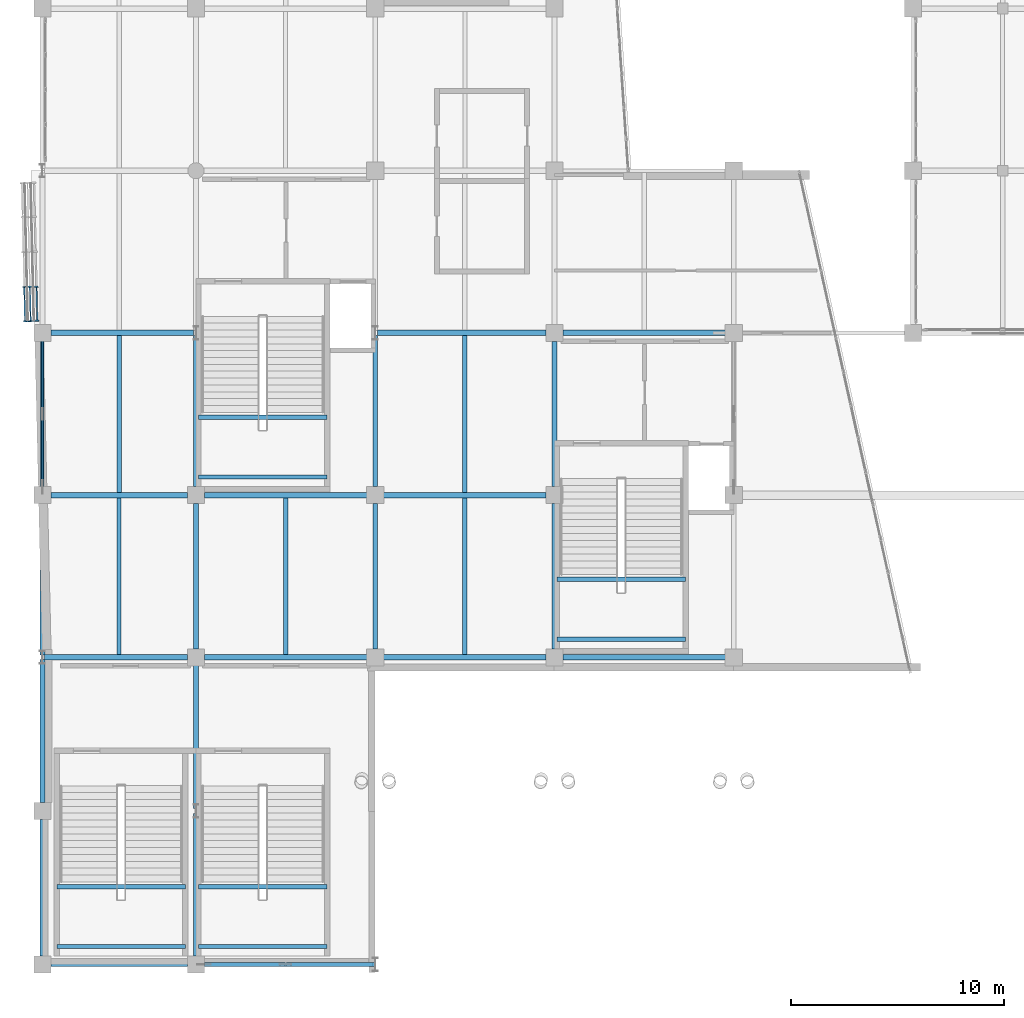
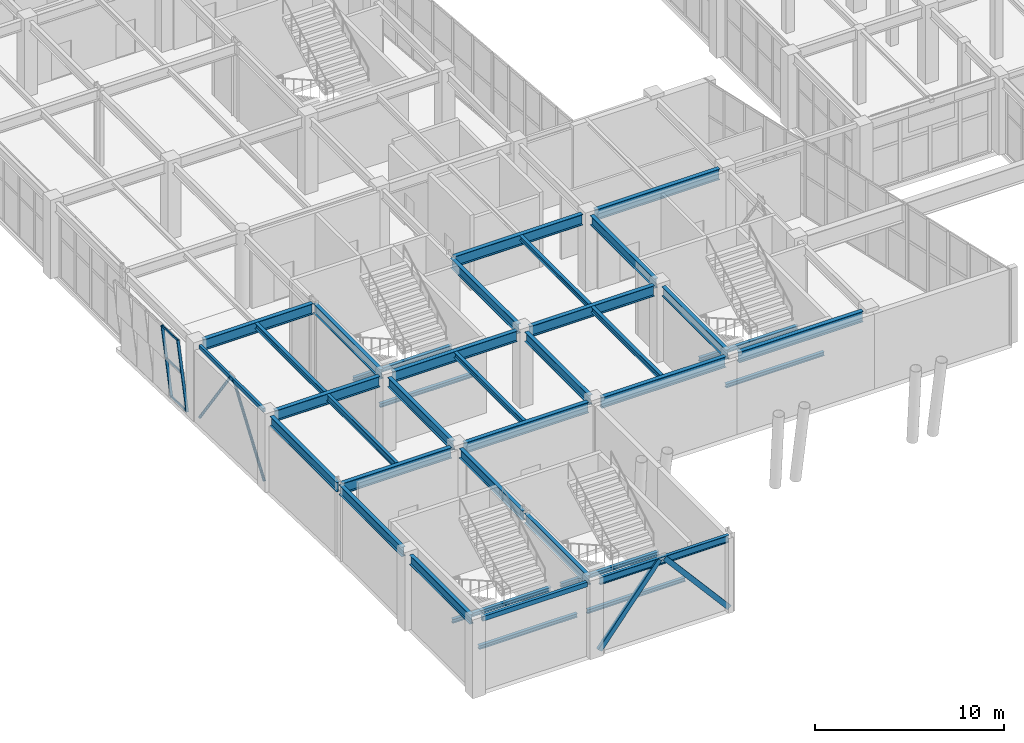
# One storey, part 9 of 128: 37 beams, 9 members, 1 element without a shape of its own.
"""IFC4 building model written with IfcOpenShell, lengths in metres."""

from ifc_helpers import new_model, si_unit, direction, frame, origin, origin_2d, place, context, subcontext, project, spatial, hollow_rectangle, hollow_circle, i_section, extrude, material, layer, layer_set, material_profile, profile_set, type_object, element, aggregate, save


model = new_model("IFC4")

# Units and contexts
model_context = context("Model", 3, precision=1e-05, world=origin(), true_north=direction((0.0, 1.0)))
body_context = subcontext(model_context, "Body", "Model", "MODEL_VIEW")
ifc_project = project(units=[si_unit("LENGTHUNIT", "METRE"), si_unit("AREAUNIT", "SQUARE_METRE"), si_unit("VOLUMEUNIT", "CUBIC_METRE"), si_unit("PLANEANGLEUNIT", "RADIAN"), si_unit("MASSUNIT", "GRAM", prefix="KILO")], contexts=[model_context])

# Site, building, storey
site_placement = place(None, origin())
site = spatial("IfcSite", under=ifc_project, at=site_placement, CompositionType="ELEMENT")
building_placement = place(site_placement, origin())
building = spatial("IfcBuilding", under=site, at=building_placement, Name="Xicomal Pleat Aquarium", CompositionType="ELEMENT")
storey_placement = place(building_placement, frame((0.0, 0.0, 5.39990234375)))
storey = spatial("IfcBuildingStorey", under=building, at=storey_placement, Name="L02", CompositionType="ELEMENT", Elevation=5.39990234375)

# Beams
ifc_material_1 = material(Name="Structural steel A992 Gr 50", Category="steel")
ifc_material_profile_1 = material_profile(ifc_material_1, i_section(OverallWidth=0.201904296875, OverallDepth=0.2470703125, WebThickness=0.00732421875, FlangeThickness=0.010986328125, at=origin_2d()), Name="IR 250x49")
ifc_profile_set_1 = profile_set([ifc_material_profile_1], Name="Structural steel A992 Gr 50")
beam_type_1 = type_object("IfcBeamType", Name="BM-STL-IR250", PredefinedType="JOIST", material=ifc_profile_set_1)
for number, where, z_axis, x_axis, name in (
    (1, (10.320068359375, 23.64990234375, 2.22900390625), (1.0, 0.0, 0.0), (0.0, 1.0, 0.0), "ST-01-L02 half-landing bearer beam 1"),
    (2, (10.320068359375, 26.451904296875, 2.22900390625), (1.0, 0.0, 0.0), (0.0, 1.0, 0.0), "ST-01-L02 half-landing bearer beam 2"),
):
    element("IfcBeam", number, at=place(storey_placement, frame(where, z_axis=z_axis, x_axis=x_axis)), inside=storey, type_object=beam_type_1, Name=name, PredefinedType="JOIST", context=body_context, shape_type="SweptSolid", body=[
        extrude(i_section(OverallWidth=0.201904296875, OverallDepth=0.2470703125, WebThickness=0.00732421875, FlangeThickness=0.010986328125, at=origin_2d()), origin(), (0.0, 0.0, 1.0), 6.02001953125),
    ])
for number, where, z_axis, x_axis, name in (
    (3, (27.1201171875, 16.050048828125, 2.22900390625), (1.0, 0.0, 0.0), (0.0, 1.0, 0.0), "ST-02-L02 half-landing bearer beam 1"),
    (4, (27.1201171875, 18.85205078125, 2.22900390625), (1.0, 0.0, 0.0), (0.0, 1.0, 0.0), "ST-02-L02 half-landing bearer beam 2"),
):
    element("IfcBeam", number, at=place(storey_placement, frame(where, z_axis=z_axis, x_axis=x_axis)), inside=storey, type_object=beam_type_1, Name=name, PredefinedType="JOIST", context=body_context, shape_type="SweptSolid", body=[
        extrude(i_section(OverallWidth=0.201904296875, OverallDepth=0.2470703125, WebThickness=0.00732421875, FlangeThickness=0.010986328125, at=origin_2d()), origin(), (0.0, 0.0, 1.0), 6.019775390625),
    ])
for number, where, z_axis, x_axis, name in (
    (5, (10.320068359375, 1.64990234375, 2.22900390625), (1.0, 0.0, 0.0), (0.0, 1.0, 0.0), "ST-09-L02 half-landing bearer beam 1"),
    (6, (10.320068359375, 4.451904296875, 2.22900390625), (1.0, 0.0, 0.0), (0.0, 1.0, 0.0), "ST-09-L02 half-landing bearer beam 2"),
    (7, (3.679931640625, 1.64990234375, 2.22900390625), (1.0, 0.0, 0.0), (0.0, 1.0, 0.0), "ST-10-L02 half-landing bearer beam 1"),
    (8, (3.679931640625, 4.451904296875, 2.22900390625), (1.0, 0.0, 0.0), (0.0, 1.0, 0.0), "ST-10-L02 half-landing bearer beam 2"),
):
    element("IfcBeam", number, at=place(storey_placement, frame(where, z_axis=z_axis, x_axis=x_axis)), inside=storey, type_object=beam_type_1, Name=name, PredefinedType="JOIST", context=body_context, shape_type="SweptSolid", body=[
        extrude(i_section(OverallWidth=0.201904296875, OverallDepth=0.2470703125, WebThickness=0.00732421875, FlangeThickness=0.010986328125, at=origin_2d()), origin(), (0.0, 0.0, 1.0), 6.02001953125),
    ])
ifc_material_2 = material(Name="Structural steel A992 Gr 50", Category="steel")
ifc_material_profile_2 = material_profile(ifc_material_2, i_section(OverallWidth=0.202880859375, OverallDepth=0.302978515625, WebThickness=0.007568359375, FlangeThickness=0.01318359375, at=origin_2d()), Name="IR 310x60")
ifc_profile_set_2 = profile_set([ifc_material_profile_2], Name="Structural steel A992 Gr 50")
beam_type_2 = type_object("IfcBeamType", Name="BM-STL-IR310", PredefinedType="JOIST", material=ifc_profile_set_2)
beam_1_placement = place(storey_placement, frame((22.800048828125, 22.930908203125, 4.70849609375), z_axis=(0.0, 1.0, 0.0), x_axis=(-1.0, 0.0, 0.0)))
element("IfcBeam", 9, at=beam_1_placement, inside=storey, type_object=beam_type_2, Name="L02 framing beam FBJ-L02-03-D-1", PredefinedType="JOIST", context=body_context, shape_type="SweptSolid", body=[
    extrude(i_section(OverallWidth=0.202880859375, OverallDepth=0.302978515625, WebThickness=0.007568359375, FlangeThickness=0.01318359375, at=origin_2d()), origin(), (0.0, 0.0, 1.0), 7.338134765625),
])
ifc_material_3 = material(Name="Structural steel A992 Gr 50", Category="steel")
ifc_material_profile_3 = material_profile(ifc_material_3, i_section(OverallWidth=0.205078125, OverallDepth=0.35400390625, WebThickness=0.009521484375, FlangeThickness=0.016845703125, at=origin_2d()), Name="IR 360x79")
ifc_profile_set_3 = profile_set([ifc_material_profile_3], Name="Structural steel A992 Gr 50")
beam_type_3 = type_object("IfcBeamType", Name="BM-STL-IR360", PredefinedType="JOIST", material=ifc_profile_set_3)
beam_2_placement = place(storey_placement, frame((6.60009765625, 22.930908203125, 4.68310546875), z_axis=(0.0, 1.0, 0.0), x_axis=(-1.0, 0.0, 0.0)))
element("IfcBeam", 10, at=beam_2_placement, inside=storey, type_object=beam_type_3, Name="L02 framing beam FBJ-L02-01-D-1", PredefinedType="JOIST", context=body_context, shape_type="SweptSolid", body=[
    extrude(i_section(OverallWidth=0.205078125, OverallDepth=0.35400390625, WebThickness=0.009521484375, FlangeThickness=0.016845703125, at=origin_2d()), origin(), (0.0, 0.0, 1.0), 7.338134765625),
])
for number, where, z_axis, x_axis, name in (
    (11, (14.39990234375, 15.3310546875, 4.68310546875), (0.0, 1.0, 0.0), (-1.0, 0.0, 0.0), "L02 framing beam FBJ-L02-02-C-1"),
    (12, (22.800048828125, 15.3310546875, 4.68310546875), (0.0, 1.0, 0.0), (-1.0, 0.0, 0.0), "L02 framing beam FBJ-L02-03-C-1"),
):
    element("IfcBeam", number, at=place(storey_placement, frame(where, z_axis=z_axis, x_axis=x_axis)), inside=storey, type_object=beam_type_3, Name=name, PredefinedType="JOIST", context=body_context, shape_type="SweptSolid", body=[
        extrude(i_section(OverallWidth=0.205078125, OverallDepth=0.35400390625, WebThickness=0.009521484375, FlangeThickness=0.016845703125, at=origin_2d()), origin(), (0.0, 0.0, 1.0), 7.337890625),
    ])
ifc_material_4 = material(Name="Structural steel A992 Gr 50", Category="steel")
ifc_material_profile_4 = material_profile(ifc_material_4, i_section(OverallWidth=0.180908203125, OverallDepth=0.4169921875, WebThickness=0.010986328125, FlangeThickness=0.018310546875, at=origin_2d()), Name="IR 410x85")
ifc_profile_set_4 = profile_set([ifc_material_profile_4], Name="Structural steel A992 Gr 50")
beam_type_4 = type_object("IfcBeamType", Name="BM-STL-IR410", PredefinedType="JOIST", material=ifc_profile_set_4)
beam_3_placement = place(storey_placement, frame((6.60009765625, 15.3310546875, 4.651611328125), z_axis=(0.0, 1.0, 0.0), x_axis=(-1.0, 0.0, 0.0)))
element("IfcBeam", 13, at=beam_3_placement, inside=storey, type_object=beam_type_4, Name="L02 framing beam FBJ-L02-01-C-1", PredefinedType="JOIST", context=body_context, shape_type="SweptSolid", body=[
    extrude(i_section(OverallWidth=0.180908203125, OverallDepth=0.4169921875, WebThickness=0.010986328125, FlangeThickness=0.018310546875, at=origin_2d()), origin(), (0.0, 0.0, 1.0), 7.337890625),
])
ifc_material_5 = material(Name="Structural steel A992 Gr 50", Category="steel")
ifc_material_profile_5 = material_profile(ifc_material_5, i_section(OverallWidth=0.194091796875, OverallDepth=0.468994140625, WebThickness=0.0126953125, FlangeThickness=0.0205078125, at=origin_2d()), Name="IR 460x106")
ifc_profile_set_5 = profile_set([ifc_material_profile_5], Name="Structural steel A992 Gr 50")
beam_type_5 = type_object("IfcBeamType", Name="BM-STL-IR460", PredefinedType="BEAM", material=ifc_profile_set_5)
beam_4_placement = place(storey_placement, frame((10.594970703125, 0.800048828125, 4.62548828125), z_axis=(1.0, 0.0, 0.0), x_axis=(0.0, 1.0, 0.0)))
element("IfcBeam", 14, at=beam_4_placement, inside=storey, type_object=beam_type_5, Name="L02 framing beam FGX-L02-02-03-A", PredefinedType="BEAM", context=body_context, shape_type="SweptSolid", body=[
    extrude(i_section(OverallWidth=0.194091796875, OverallDepth=0.468994140625, WebThickness=0.0126953125, FlangeThickness=0.0205078125, at=origin_2d()), origin(), (0.0, 0.0, 1.0), 7.89501953125),
])
ifc_material_6 = material(Name="Structural steel A992 Gr 50", Category="steel")
ifc_material_profile_6 = material_profile(ifc_material_6, i_section(OverallWidth=0.22998046875, OverallDepth=0.616943359375, WebThickness=0.01318359375, FlangeThickness=0.022216796875, at=origin_2d()), Name="IR 610x140")
ifc_profile_set_6 = profile_set([ifc_material_profile_6], Name="Structural steel A992 Gr 50")
beam_type_6 = type_object("IfcBeamType", Name="BM-STL-IR610", PredefinedType="BEAM", material=ifc_profile_set_6)
beam_5_placement = place(storey_placement, frame((3.0, 1.195068359375, 4.551513671875), z_axis=(0.0, 1.0, 0.0), x_axis=(-1.0, 0.0, 0.0)))
element("IfcBeam", 15, at=beam_5_placement, inside=storey, type_object=beam_type_6, Name="L02 framing beam FGY-L02-01-A-B", PredefinedType="BEAM", context=body_context, shape_type="SweptSolid", body=[
    extrude(i_section(OverallWidth=0.22998046875, OverallDepth=0.616943359375, WebThickness=0.01318359375, FlangeThickness=0.022216796875, at=origin_2d()), origin(), (0.0, 0.0, 1.0), 6.409912109375),
])
beam_6_placement = place(storey_placement, frame((3.0, 8.39501953125, 4.551513671875), z_axis=(0.0, 1.0, 0.0), x_axis=(-1.0, 0.0, 0.0)))
element("IfcBeam", 16, at=beam_6_placement, inside=storey, type_object=beam_type_6, Name="L02 framing beam FGY-L02-01-B-C", PredefinedType="BEAM", context=body_context, shape_type="SweptSolid", body=[
    extrude(i_section(OverallWidth=0.22998046875, OverallDepth=0.616943359375, WebThickness=0.01318359375, FlangeThickness=0.022216796875, at=origin_2d()), origin(), (0.0, 0.0, 1.0), 6.695068359375),
])
beam_7_placement = place(storey_placement, frame((3.0, 15.31005859375, 4.551513671875), z_axis=(0.0, 1.0, 0.0), x_axis=(-1.0, 0.0, 0.0)))
element("IfcBeam", 17, at=beam_7_placement, inside=storey, type_object=beam_type_6, Name="L02 framing beam FGY-L02-01-C-D", PredefinedType="BEAM", context=body_context, shape_type="SweptSolid", body=[
    extrude(i_section(OverallWidth=0.22998046875, OverallDepth=0.616943359375, WebThickness=0.01318359375, FlangeThickness=0.022216796875, at=origin_2d()), origin(), (0.0, 0.0, 1.0), 7.094970703125),
])
for number, where, z_axis, x_axis, name in (
    (18, (10.199951171875, 1.195068359375, 4.551513671875), (0.0, 1.0, 0.0), (-1.0, 0.0, 0.0), "L02 framing beam FGY-L02-02-A-B"),
    (19, (10.199951171875, 8.110107421875, 4.551513671875), (0.0, 1.0, 0.0), (-1.0, 0.0, 0.0), "L02 framing beam FGY-L02-02-B-C"),
):
    element("IfcBeam", number, at=place(storey_placement, frame(where, z_axis=z_axis, x_axis=x_axis)), inside=storey, type_object=beam_type_6, Name=name, PredefinedType="BEAM", context=body_context, shape_type="SweptSolid", body=[
        extrude(i_section(OverallWidth=0.22998046875, OverallDepth=0.616943359375, WebThickness=0.01318359375, FlangeThickness=0.022216796875, at=origin_2d()), origin(), (0.0, 0.0, 1.0), 6.69482421875),
    ])
beam_8_placement = place(storey_placement, frame((10.199951171875, 15.594970703125, 4.551513671875), z_axis=(0.0, 1.0, 0.0), x_axis=(-1.0, 0.0, 0.0)))
element("IfcBeam", 20, at=beam_8_placement, inside=storey, type_object=beam_type_6, Name="L02 framing beam FGY-L02-02-C-D", PredefinedType="BEAM", context=body_context, shape_type="SweptSolid", body=[
    extrude(i_section(OverallWidth=0.22998046875, OverallDepth=0.616943359375, WebThickness=0.01318359375, FlangeThickness=0.022216796875, at=origin_2d()), origin(), (0.0, 0.0, 1.0), 6.81005859375),
])
beam_9_placement = place(storey_placement, frame((10.199951171875, 23.195068359375, 4.551513671875), z_axis=(0.0, 1.0, 0.0), x_axis=(-1.0, 0.0, 0.0)))
element("IfcBeam", 21, at=beam_9_placement, inside=storey, type_object=beam_type_6, Name="L02 framing beam FGY-L02-02-D-E", PredefinedType="BEAM", context=body_context, shape_type="SweptSolid", body=[
    extrude(i_section(OverallWidth=0.22998046875, OverallDepth=0.616943359375, WebThickness=0.01318359375, FlangeThickness=0.022216796875, at=origin_2d()), origin(), (0.0, 0.0, 1.0), 7.094970703125),
])
beam_10_placement = place(storey_placement, frame((18.60009765625, 15.594970703125, 4.551513671875), z_axis=(0.0, 1.0, 0.0), x_axis=(-1.0, 0.0, 0.0)))
element("IfcBeam", 22, at=beam_10_placement, inside=storey, type_object=beam_type_6, Name="L02 framing beam FGY-L02-03-C-D", PredefinedType="BEAM", context=body_context, shape_type="SweptSolid", body=[
    extrude(i_section(OverallWidth=0.22998046875, OverallDepth=0.616943359375, WebThickness=0.01318359375, FlangeThickness=0.022216796875, at=origin_2d()), origin(), (0.0, 0.0, 1.0), 6.81005859375),
])
beam_11_placement = place(storey_placement, frame((18.60009765625, 23.195068359375, 4.551513671875), z_axis=(0.0, 1.0, 0.0), x_axis=(-1.0, 0.0, 0.0)))
element("IfcBeam", 23, at=beam_11_placement, inside=storey, type_object=beam_type_6, Name="L02 framing beam FGY-L02-03-D-E", PredefinedType="BEAM", context=body_context, shape_type="SweptSolid", body=[
    extrude(i_section(OverallWidth=0.22998046875, OverallDepth=0.616943359375, WebThickness=0.01318359375, FlangeThickness=0.022216796875, at=origin_2d()), origin(), (0.0, 0.0, 1.0), 7.094970703125),
])
beam_12_placement = place(storey_placement, frame((27.0, 15.594970703125, 4.551513671875), z_axis=(0.0, 1.0, 0.0), x_axis=(-1.0, 0.0, 0.0)))
element("IfcBeam", 24, at=beam_12_placement, inside=storey, type_object=beam_type_6, Name="L02 framing beam FGY-L02-04-C-D", PredefinedType="BEAM", context=body_context, shape_type="SweptSolid", body=[
    extrude(i_section(OverallWidth=0.22998046875, OverallDepth=0.616943359375, WebThickness=0.01318359375, FlangeThickness=0.022216796875, at=origin_2d()), origin(), (0.0, 0.0, 1.0), 6.81005859375),
])
beam_13_placement = place(storey_placement, frame((27.0, 23.195068359375, 4.551513671875), z_axis=(0.0, 1.0, 0.0), x_axis=(-1.0, 0.0, 0.0)))
element("IfcBeam", 25, at=beam_13_placement, inside=storey, type_object=beam_type_6, Name="L02 framing beam FGY-L02-04-D-E", PredefinedType="BEAM", context=body_context, shape_type="SweptSolid", body=[
    extrude(i_section(OverallWidth=0.22998046875, OverallDepth=0.616943359375, WebThickness=0.01318359375, FlangeThickness=0.022216796875, at=origin_2d()), origin(), (0.0, 0.0, 1.0), 6.809814453125),
])
ifc_material_7 = material(Name="Structural steel A992 Gr 50", Category="steel")
ifc_material_profile_7 = material_profile(ifc_material_7, i_section(OverallWidth=0.256103515625, OverallDepth=0.693115234375, WebThickness=0.014404296875, FlangeThickness=0.023681640625, at=origin_2d()), Name="IR 690x170")
ifc_profile_set_7 = profile_set([ifc_material_profile_7], Name="Structural steel A992 Gr 50")
beam_type_7 = type_object("IfcBeamType", Name="BM-STL-IR690", PredefinedType="BEAM", material=ifc_profile_set_7)
beam_14_placement = place(storey_placement, frame((3.110107421875, 15.199951171875, 4.513671875), z_axis=(1.0, 0.0, 0.0), x_axis=(0.0, 1.0, 0.0)))
element("IfcBeam", 26, at=beam_14_placement, inside=storey, type_object=beam_type_7, Name="L02 framing beam FGX-L02-01-02-C", PredefinedType="BEAM", context=body_context, shape_type="SweptSolid", body=[
    extrude(i_section(OverallWidth=0.256103515625, OverallDepth=0.693115234375, WebThickness=0.014404296875, FlangeThickness=0.023681640625, at=origin_2d()), origin(), (0.0, 0.0, 1.0), 6.69482421875),
])
beam_15_placement = place(storey_placement, frame((10.594970703125, 15.199951171875, 4.513671875), z_axis=(1.0, 0.0, 0.0), x_axis=(0.0, 1.0, 0.0)))
element("IfcBeam", 27, at=beam_15_placement, inside=storey, type_object=beam_type_7, Name="L02 framing beam FGX-L02-02-03-C", PredefinedType="BEAM", context=body_context, shape_type="SweptSolid", body=[
    extrude(i_section(OverallWidth=0.256103515625, OverallDepth=0.693115234375, WebThickness=0.014404296875, FlangeThickness=0.023681640625, at=origin_2d()), origin(), (0.0, 0.0, 1.0), 7.610107421875),
])
for number, where, z_axis, x_axis, name in (
    (28, (18.9951171875, 15.199951171875, 4.513671875), (1.0, 0.0, 0.0), (0.0, 1.0, 0.0), "L02 framing beam FGX-L02-03-04-C"),
    (29, (27.39501953125, 15.199951171875, 4.513671875), (1.0, 0.0, 0.0), (0.0, 1.0, 0.0), "L02 framing beam FGX-L02-04-05-C"),
):
    element("IfcBeam", number, at=place(storey_placement, frame(where, z_axis=z_axis, x_axis=x_axis)), inside=storey, type_object=beam_type_7, Name=name, PredefinedType="BEAM", context=body_context, shape_type="SweptSolid", body=[
        extrude(i_section(OverallWidth=0.256103515625, OverallDepth=0.693115234375, WebThickness=0.014404296875, FlangeThickness=0.023681640625, at=origin_2d()), origin(), (0.0, 0.0, 1.0), 7.60986328125),
    ])
beam_16_placement = place(storey_placement, frame((3.39501953125, 22.800048828125, 4.513671875), z_axis=(1.0, 0.0, 0.0), x_axis=(0.0, 1.0, 0.0)))
element("IfcBeam", 30, at=beam_16_placement, inside=storey, type_object=beam_type_7, Name="L02 framing beam FGX-L02-01-02-D", PredefinedType="BEAM", context=body_context, shape_type="SweptSolid", body=[
    extrude(i_section(OverallWidth=0.256103515625, OverallDepth=0.693115234375, WebThickness=0.014404296875, FlangeThickness=0.023681640625, at=origin_2d()), origin(), (0.0, 0.0, 1.0), 6.409912109375),
])
beam_17_placement = place(storey_placement, frame((10.594970703125, 22.800048828125, 4.513671875), z_axis=(1.0, 0.0, 0.0), x_axis=(0.0, 1.0, 0.0)))
element("IfcBeam", 31, at=beam_17_placement, inside=storey, type_object=beam_type_7, Name="L02 framing beam FGX-L02-02-03-D", PredefinedType="BEAM", context=body_context, shape_type="SweptSolid", body=[
    extrude(i_section(OverallWidth=0.256103515625, OverallDepth=0.693115234375, WebThickness=0.014404296875, FlangeThickness=0.023681640625, at=origin_2d()), origin(), (0.0, 0.0, 1.0), 7.610107421875),
])
beam_18_placement = place(storey_placement, frame((18.9951171875, 22.800048828125, 4.513671875), z_axis=(1.0, 0.0, 0.0), x_axis=(0.0, 1.0, 0.0)))
element("IfcBeam", 32, at=beam_18_placement, inside=storey, type_object=beam_type_7, Name="L02 framing beam FGX-L02-03-04-D", PredefinedType="BEAM", context=body_context, shape_type="SweptSolid", body=[
    extrude(i_section(OverallWidth=0.256103515625, OverallDepth=0.693115234375, WebThickness=0.014404296875, FlangeThickness=0.023681640625, at=origin_2d()), origin(), (0.0, 0.0, 1.0), 7.60986328125),
])
beam_19_placement = place(storey_placement, frame((3.39501953125, 30.39990234375, 4.513671875), z_axis=(1.0, 0.0, 0.0), x_axis=(0.0, 1.0, 0.0)))
element("IfcBeam", 33, at=beam_19_placement, inside=storey, type_object=beam_type_7, Name="L02 framing beam FGX-L02-01-02-E", PredefinedType="BEAM", context=body_context, shape_type="SweptSolid", body=[
    extrude(i_section(OverallWidth=0.256103515625, OverallDepth=0.693115234375, WebThickness=0.014404296875, FlangeThickness=0.023681640625, at=origin_2d()), origin(), (0.0, 0.0, 1.0), 6.695068359375),
])
beam_20_placement = place(storey_placement, frame((18.7099609375, 30.39990234375, 4.513671875), z_axis=(1.0, 0.0, 0.0), x_axis=(0.0, 1.0, 0.0)))
element("IfcBeam", 34, at=beam_20_placement, inside=storey, type_object=beam_type_7, Name="L02 framing beam FGX-L02-03-04-E", PredefinedType="BEAM", context=body_context, shape_type="SweptSolid", body=[
    extrude(i_section(OverallWidth=0.256103515625, OverallDepth=0.693115234375, WebThickness=0.014404296875, FlangeThickness=0.023681640625, at=origin_2d()), origin(), (0.0, 0.0, 1.0), 7.89501953125),
])
beam_21_placement = place(storey_placement, frame((27.39501953125, 30.39990234375, 4.513671875), z_axis=(1.0, 0.0, 0.0), x_axis=(0.0, 1.0, 0.0)))
element("IfcBeam", 35, at=beam_21_placement, inside=storey, type_object=beam_type_7, Name="L02 framing beam FGX-L02-04-05-E", PredefinedType="BEAM", context=body_context, shape_type="SweptSolid", body=[
    extrude(i_section(OverallWidth=0.256103515625, OverallDepth=0.693115234375, WebThickness=0.014404296875, FlangeThickness=0.023681640625, at=origin_2d()), origin(), (0.0, 0.0, 1.0), 7.60986328125),
])
ifc_material_8 = material(Name="Structural steel A500 Gr C", Category="steel")
ifc_material_profile_8 = material_profile(ifc_material_8, hollow_rectangle(XDim=0.14990234375, YDim=0.25, WallThickness=0.010009765625, at=origin_2d()), Name="OR 250x150x10")
ifc_profile_set_8 = profile_set([ifc_material_profile_8], Name="Structural steel A500 Gr C")
beam_type_8 = type_object("IfcBeamType", Name="BM-STL-OR250", PredefinedType="SPANDREL", material=ifc_profile_set_8)
beam_22_placement = place(storey_placement, frame((3.0, 23.195068359375, 4.735107421875), z_axis=(0.0, 1.0, 0.0), x_axis=(-1.0, 0.0, 0.0)))
element("IfcBeam", 36, at=beam_22_placement, inside=storey, type_object=beam_type_8, Name="L02 framing beam FGY-L02-01-D-E", PredefinedType="SPANDREL", context=body_context, shape_type="SweptSolid", body=[
    extrude(hollow_rectangle(XDim=0.14990234375, YDim=0.25, WallThickness=0.010009765625, at=origin_2d()), origin(), (0.0, 0.0, 1.0), 6.809814453125),
])
ifc_material_9 = material(Name="Structural steel A500 Gr C", Category="steel")
ifc_material_profile_9 = material_profile(ifc_material_9, hollow_rectangle(XDim=0.199951171875, YDim=0.300048828125, WallThickness=0.011962890625, at=origin_2d()), Name="OR 300x200x12")
ifc_profile_set_9 = profile_set([ifc_material_profile_9], Name="Structural steel A500 Gr C")
beam_type_9 = type_object("IfcBeamType", Name="BM-STL-OR300", PredefinedType="SPANDREL", material=ifc_profile_set_9)
beam_23_placement = place(storey_placement, frame((3.39501953125, 0.800048828125, 4.710205078125), z_axis=(1.0, 0.0, 0.0), x_axis=(0.0, 1.0, 0.0)))
element("IfcBeam", 37, at=beam_23_placement, inside=storey, type_object=beam_type_9, Name="L02 framing beam FGX-L02-01-02-A", PredefinedType="SPANDREL", context=body_context, shape_type="SweptSolid", body=[
    extrude(hollow_rectangle(XDim=0.199951171875, YDim=0.300048828125, WallThickness=0.011962890625, at=origin_2d()), origin(), (0.0, 0.0, 1.0), 6.409912109375),
])

# Curtain wall, members
ifc_material_10 = material(Name="Bronze anodized aluminium 6063-T6", Category="aluminium")
ifc_layer = layer(ifc_material_10, 0.159912109375)
ifc_layer_set = layer_set([ifc_layer], Name="Bronze anodized aluminium 6063-T6")
curtain_wall_type = type_object("IfcCurtainWallType", Name="CW-SYS-02", PredefinedType="NOTDEFINED", material=ifc_layer_set)
curtain_wall_placement = place(storey_placement, origin())
curtain_wall = element("IfcCurtainWall", 38, at=curtain_wall_placement, inside=storey, type_object=curtain_wall_type, Name="L02 unitised curtain wall CW-L02-141", PredefinedType="NOTDEFINED")
ifc_material_11 = material(Name="Bronze anodized aluminium 6063-T6", Category="aluminium")
ifc_material_profile_10 = material_profile(ifc_material_11, hollow_rectangle(XDim=0.06494140625, YDim=0.159912109375, WallThickness=0.00390625, at=origin_2d()), Name="ALU MULL 65x160")
ifc_profile_set_10 = profile_set([ifc_material_profile_10], Name="Bronze anodized aluminium 6063-T6")
member_type_1 = type_object("IfcMemberType", Name="CWM-65x160", PredefinedType="MULLION", material=ifc_profile_set_10)
member_1_placement = place(storey_placement, frame((2.76611328125, 30.964599609375, 0.0), z_axis=(-0.118316633494, -0.002843190603, 0.992971847791), x_axis=(-0.047389011058, 0.998872623015, -0.002786506993)))
member_1 = element("IfcMember", 39, at=member_1_placement, type_object=member_type_1, Name="CW-02 mullion 1", PredefinedType="MULLION", context=body_context, shape_type="SweptSolid", body=[
    extrude(hollow_rectangle(XDim=0.06494140625, YDim=0.159912109375, WallThickness=0.00390625, at=origin_2d()), origin(), (0.0, 0.0, 1.0), 4.89453125),
])
member_2_placement = place(storey_placement, frame((2.728515625, 32.566650390625, 0.0), z_axis=(-0.118365831965, -0.00279329397, 0.992966125974), x_axis=(-0.046958068744, 0.998892971674, -0.002787637048)))
member_2 = element("IfcMember", 40, at=member_2_placement, type_object=member_type_1, Name="CW-02 mullion 2", PredefinedType="MULLION", context=body_context, shape_type="SweptSolid", body=[
    extrude(hollow_rectangle(XDim=0.06494140625, YDim=0.159912109375, WallThickness=0.00390625, at=origin_2d()), origin(), (0.0, 0.0, 1.0), 4.89453125),
])
ifc_material_12 = material(Name="Bronze anodized aluminium 6063-T6", Category="aluminium")
ifc_material_profile_11 = material_profile(ifc_material_12, hollow_rectangle(XDim=0.06494140625, YDim=0.1298828125, WallThickness=0.00390625, at=origin_2d()), Name="ALU TRAN 65x130")
ifc_profile_set_11 = profile_set([ifc_material_profile_11], Name="Bronze anodized aluminium 6063-T6")
member_type_2 = type_object("IfcMemberType", Name="CWT-65x130", PredefinedType="USERDEFINED", material=ifc_profile_set_11)
member_3_placement = place(storey_placement, frame((2.76171875, 30.996826171875, 0.03271484375), z_axis=(-0.023655439966, 0.999720170928, 0.0), x_axis=(-0.999720170928, -0.023655439966, 0.0)))
member_3 = element("IfcMember", 41, at=member_3_placement, type_object=member_type_2, Name="CW-02 transom 1.1", ObjectType="TRANSOM", PredefinedType="USERDEFINED", context=body_context, shape_type="SweptSolid", body=[
    extrude(hollow_rectangle(XDim=0.06494140625, YDim=0.1298828125, WallThickness=0.00390625, at=origin_2d()), origin(), (0.0, 0.0, 1.0), 1.537841796875),
])
member_4_placement = place(storey_placement, frame((2.45263671875, 30.989501953125, 2.6240234375), z_axis=(-0.023496766572, 0.999723912868, 0.0), x_axis=(-0.999723912868, -0.023496766572, 0.0)))
member_4 = element("IfcMember", 42, at=member_4_placement, type_object=member_type_2, Name="CW-02 transom 1.2", ObjectType="TRANSOM", PredefinedType="USERDEFINED", context=body_context, shape_type="SweptSolid", body=[
    extrude(hollow_rectangle(XDim=0.06494140625, YDim=0.1298828125, WallThickness=0.00390625, at=origin_2d()), origin(), (0.0, 0.0, 1.0), 1.537841796875),
])
member_5_placement = place(storey_placement, frame((2.18994140625, 30.9833984375, 4.82763671875), z_axis=(-0.023496766572, 0.999723912868, 0.0), x_axis=(-0.999723912868, -0.023496766572, 0.0)))
member_5 = element("IfcMember", 43, at=member_5_placement, type_object=member_type_2, Name="CW-02 transom 1.3", ObjectType="TRANSOM", PredefinedType="USERDEFINED", context=body_context, shape_type="SweptSolid", body=[
    extrude(hollow_rectangle(XDim=0.06494140625, YDim=0.1298828125, WallThickness=0.00390625, at=origin_2d()), origin(), (0.0, 0.0, 1.0), 1.537841796875),
])
aggregate(curtain_wall, [member_1, member_2, member_3, member_4, member_5])

# Members
ifc_material_13 = material(Name="Structural steel A500 Gr C", Category="steel")
ifc_material_profile_12 = material_profile(ifc_material_13, hollow_circle(Radius=0.083984375, WallThickness=0.010009765625, at=origin_2d()), Name="OC 168x10")
ifc_profile_set_12 = profile_set([ifc_material_profile_12], Name="Structural steel A500 Gr C")
member_type_3 = type_object("IfcMemberType", Name="MEM-BR-OC168", PredefinedType="BRACE", material=ifc_profile_set_12)
for number, where, z_axis, x_axis, name in (
    (44, (3.0, 23.179931640625, 0.150146484375), (0.0, 0.579407582013, 0.815037946298), (-1.0, 0.0, 0.0), "L02 chevron brace 3A"),
    (45, (3.0, 30.02001953125, 0.150146484375), (0.0, -0.579407582013, 0.815037946298), (1.0, 0.0, 0.0), "L02 chevron brace 3B"),
):
    element("IfcMember", number, at=place(storey_placement, frame(where, z_axis=z_axis, x_axis=x_axis)), inside=storey, type_object=member_type_3, Name=name, PredefinedType="BRACE", context=body_context, shape_type="SweptSolid", body=[
        extrude(hollow_circle(Radius=0.083984375, WallThickness=0.010009765625, at=origin_2d()), origin(), (0.0, 0.0, 1.0), 5.643798828125),
    ])
ifc_material_14 = material(Name="Structural steel A500 Gr C", Category="steel")
ifc_material_profile_13 = material_profile(ifc_material_14, hollow_rectangle(XDim=0.199951171875, YDim=0.300048828125, WallThickness=0.011962890625, at=origin_2d()), Name="OR 300x200x12")
ifc_profile_set_13 = profile_set([ifc_material_profile_13], Name="Structural steel A500 Gr C")
member_type_4 = type_object("IfcMemberType", Name="MEM-BR-OR300", PredefinedType="BRACE", material=ifc_profile_set_13)
member_6_placement = place(storey_placement, frame((10.580078125, 0.800048828125, 0.150146484375), z_axis=(0.62366233697, 0.0, 0.781693859158), x_axis=(0.0, 1.0, 0.0)))
element("IfcMember", 46, at=member_6_placement, inside=storey, type_object=member_type_4, Name="L02 chevron brace 33A", PredefinedType="BRACE", context=body_context, shape_type="SweptSolid", body=[
    extrude(hollow_rectangle(XDim=0.199951171875, YDim=0.300048828125, WallThickness=0.011962890625, at=origin_2d()), origin(), (0.0, 0.0, 1.0), 5.884521484375),
])
member_7_placement = place(storey_placement, frame((18.5048828125, 0.800048828125, 0.150146484375), z_axis=(-0.651940707994, 0.0, 0.758269947486), x_axis=(0.0, -1.0, 0.0)))
element("IfcMember", 47, at=member_7_placement, inside=storey, type_object=member_type_4, Name="L02 chevron brace 33B", PredefinedType="BRACE", context=body_context, shape_type="SweptSolid", body=[
    extrude(hollow_rectangle(XDim=0.199951171875, YDim=0.300048828125, WallThickness=0.011962890625, at=origin_2d()), origin(), (0.0, 0.0, 1.0), 6.066162109375),
])

save(model, "model.ifc")
